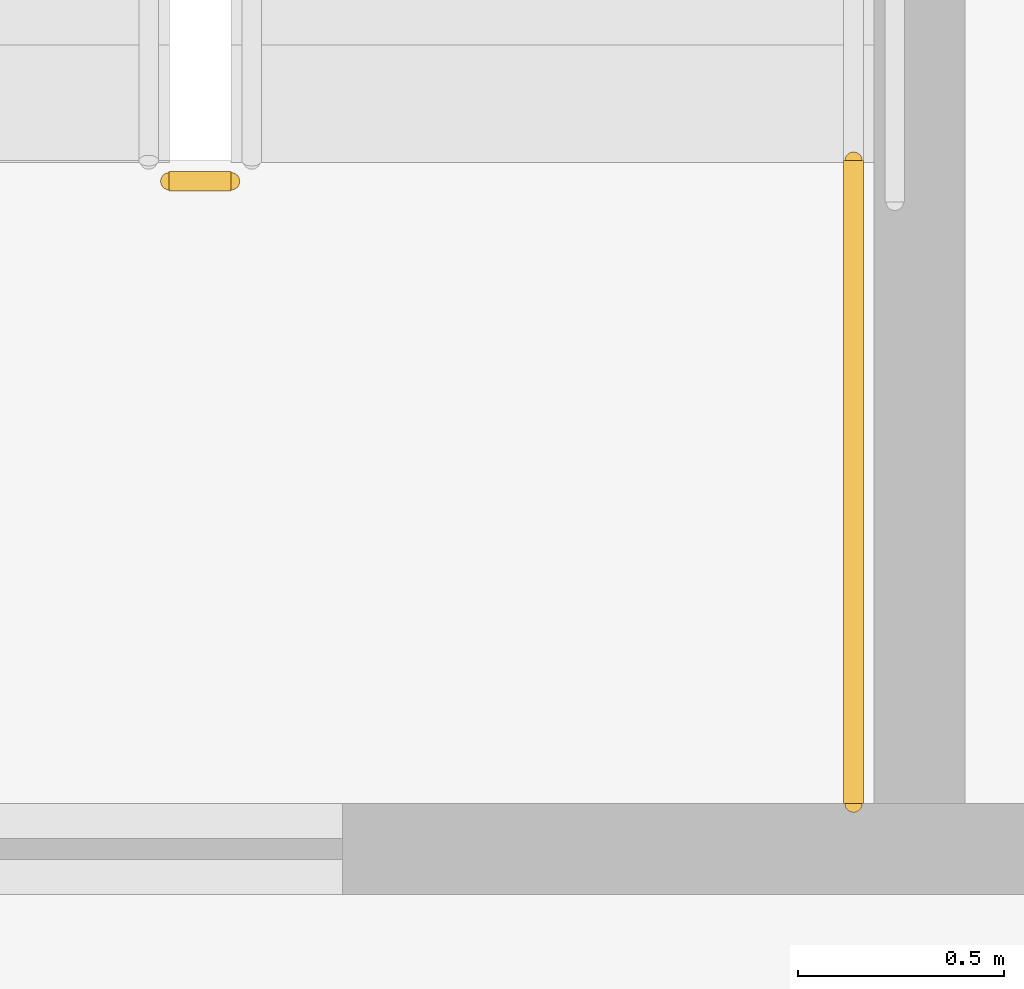
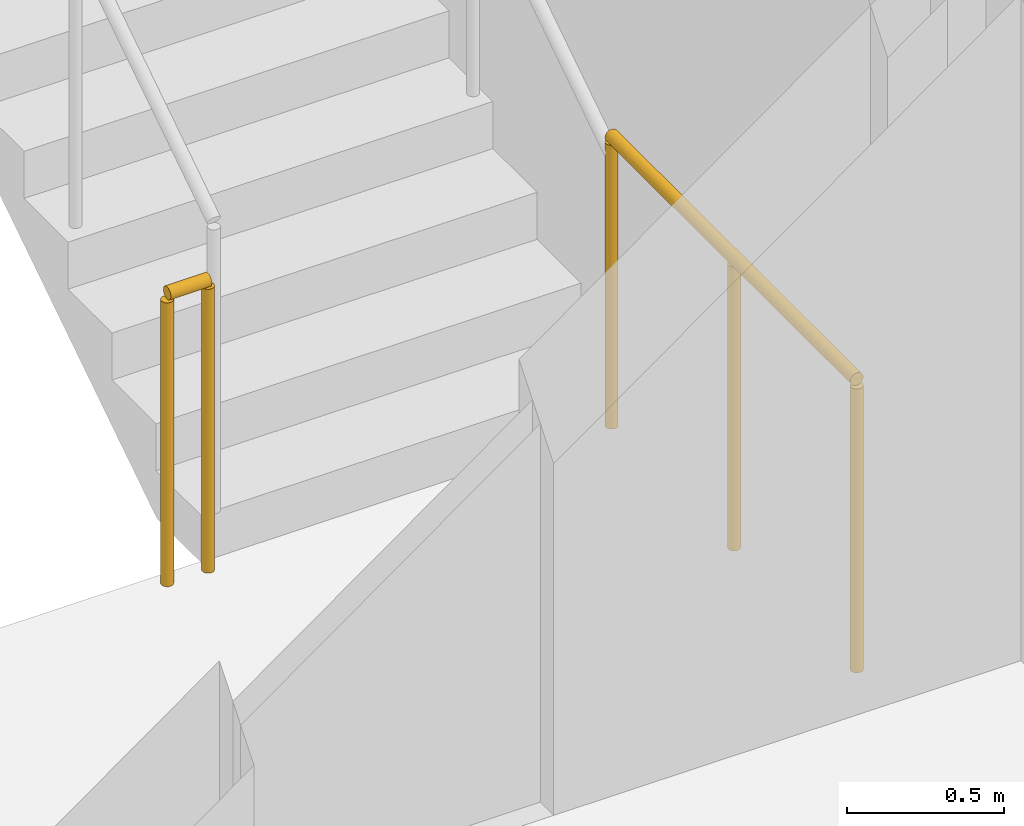
# One storey, part 9 of 13: 2 railings.
"""IFC4 building model written with IfcOpenShell, lengths in metres."""

from ifc_helpers import new_model, si_unit, direction, frame, origin, origin_2d, place, context, subcontext, project, spatial, circle, extrude, material, type_object, element, save


model = new_model("IFC4")

# Units and contexts
model_context = context("Model", 3, precision=1e-05, world=origin(), true_north=direction((0.0, 1.0)))
body_context = subcontext(model_context, "Body", "Model", "MODEL_VIEW")
ifc_project = project(units=[si_unit("LENGTHUNIT", "METRE"), si_unit("AREAUNIT", "SQUARE_METRE"), si_unit("VOLUMEUNIT", "CUBIC_METRE"), si_unit("PLANEANGLEUNIT", "RADIAN"), si_unit("MASSUNIT", "GRAM", prefix="KILO")], contexts=[model_context])

# Site, building, storey
site_placement = place(None, origin())
site = spatial("IfcSite", under=ifc_project, at=site_placement, CompositionType="ELEMENT")
building_placement = place(site_placement, origin())
building = spatial("IfcBuilding", under=site, at=building_placement, Name="Khairoan Windgate Tower", CompositionType="ELEMENT")
storey_placement = place(building_placement, frame((0.0, 0.0, 84.800048828125)))
storey = spatial("IfcBuildingStorey", under=building, at=storey_placement, Name="L20", CompositionType="ELEMENT", Elevation=84.800048828125)

# Railings
ifc_material = material(Name="Steel S355", Category="steel")
railing_type = type_object("IfcRailingType", Name="Stairwell Safety Guardrail SGR-1150", PredefinedType="GUARDRAIL", material=ifc_material)
railing_1_placement = place(storey_placement, frame((-17.7099609375, 2.909912109375, 0.0)))
element("IfcRailing", 1, at=railing_1_placement, inside=storey, type_object=railing_type, Name="L20 ST2 stair guard 7", PredefinedType="GUARDRAIL", context=body_context, shape_type="SweptSolid", body=[
    extrude(circle(Radius=0.02392578125, at=origin_2d()), frame((0.0, 0.0, 1.1259765625), z_axis=(-1.0, 0.0, 0.0), x_axis=(0.0, -1.0, 0.0)), (0.0, 0.0, 1.0), 0.150146484375),
    extrude(circle(Radius=0.02099609375, at=origin_2d()), origin(), (0.0, 0.0, 1.0), 1.101806640625),
    extrude(circle(Radius=0.02099609375, at=origin_2d()), frame((-0.150146484375, 0.0, 0.0)), (0.0, 0.0, 1.0), 1.101806640625),
])
railing_2_placement = place(storey_placement, frame((-16.199951171875, 1.39990234375, 0.0)))
element("IfcRailing", 2, at=railing_2_placement, inside=storey, type_object=railing_type, Name="L20 ST2 stair guard 8", PredefinedType="GUARDRAIL", context=body_context, shape_type="SweptSolid", body=[
    extrude(circle(Radius=0.02392578125, at=origin_2d()), frame((0.0, 0.0, 1.1259765625), z_axis=(0.0, 1.0, 0.0), x_axis=(-1.0, 0.0, 0.0)), (0.0, 0.0, 1.0), 1.56005859375),
    extrude(circle(Radius=0.02099609375, at=origin_2d()), origin(), (0.0, 0.0, 1.0), 1.101806640625),
    extrude(circle(Radius=0.02099609375, at=origin_2d()), frame((0.0, 0.780029296875, 0.0)), (0.0, 0.0, 1.0), 1.101806640625),
    extrude(circle(Radius=0.02099609375, at=origin_2d()), frame((0.0, 1.56005859375, 0.0)), (0.0, 0.0, 1.0), 1.101806640625),
])

save(model, "model.ifc")
